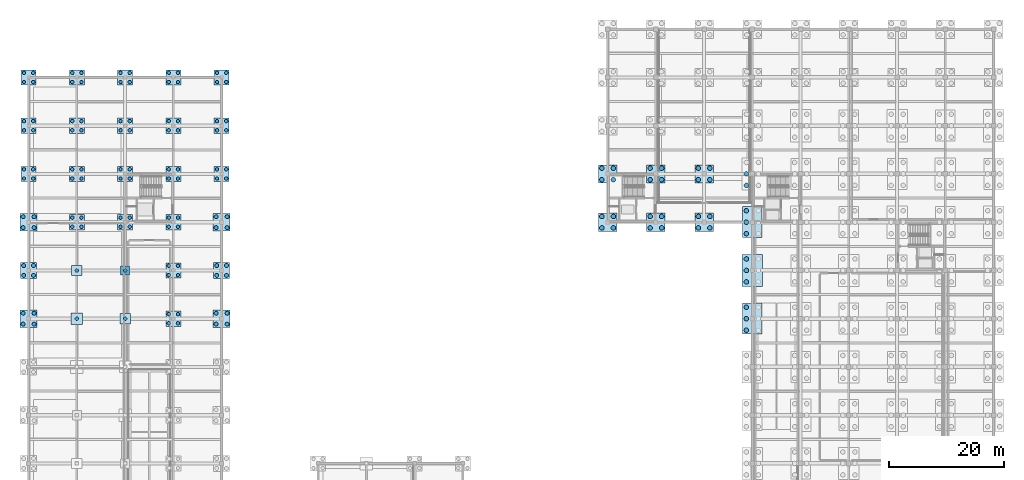
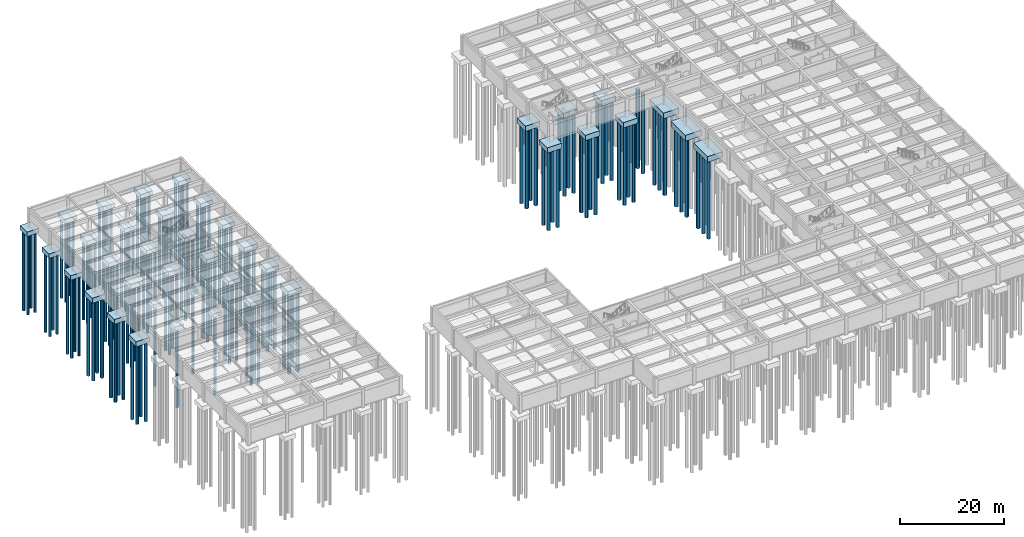
# One storey, part 3 of 33: 143 piles, 39 footings.
"""IFC4 building model written with IfcOpenShell, lengths in metres."""

from ifc_helpers import new_model, si_unit, direction, frame, origin, origin_2d, place, context, subcontext, project, spatial, rectangle, circle, extrude, material, material_profile, profile_set, type_object, element, save


model = new_model("IFC4")

# Units and contexts
model_context = context("Model", 3, precision=1e-05, world=origin(), true_north=direction((0.0, 1.0)))
body_context = subcontext(model_context, "Body", "Model", "MODEL_VIEW")
ifc_project = project(units=[si_unit("LENGTHUNIT", "METRE"), si_unit("AREAUNIT", "SQUARE_METRE"), si_unit("VOLUMEUNIT", "CUBIC_METRE"), si_unit("PLANEANGLEUNIT", "RADIAN"), si_unit("MASSUNIT", "GRAM", prefix="KILO")], contexts=[model_context])

# Site, building, storey
site_placement = place(None, origin())
site = spatial("IfcSite", under=ifc_project, at=site_placement, CompositionType="ELEMENT")
building_placement = place(site_placement, origin())
building = spatial("IfcBuilding", under=site, at=building_placement, Name="Kveldsbrygga Polytechnic", CompositionType="ELEMENT")
storey_placement = place(building_placement, frame((0.0, 0.0, -4.419921875)))
storey = spatial("IfcBuildingStorey", under=building, at=storey_placement, Name="B1", CompositionType="ELEMENT", Elevation=-4.419921875)

# Footings
ifc_material_1 = material(Name="Concrete C45/55", Category="concrete")
footing_type_1 = type_object("IfcFootingType", Name="PC-4P-CMP", PredefinedType="PILE_CAP", material=ifc_material_1)
for number, where, z_axis, x_axis, name in (
    (1, (0.0, 92.39990234375, -1.4501953125), (0.0, 0.0, 1.0), (1.0, 0.0, 0.0), "Foundation FND-00-11"),
    (2, (0.0, 100.800048828125, -1.4501953125), (0.0, 0.0, 1.0), (1.0, 0.0, 0.0), "Foundation FND-00-12"),
    (3, (0.0, 109.199951171875, -1.4501953125), (0.0, 0.0, 1.0), (1.0, 0.0, 0.0), "Foundation FND-00-13"),
    (4, (8.39990234375, 84.0, -1.4501953125), (0.0, 0.0, 1.0), (1.0, 0.0, 0.0), "Foundation FND-01-10"),
    (5, (8.39990234375, 92.39990234375, -1.4501953125), (0.0, 0.0, 1.0), (1.0, 0.0, 0.0), "Foundation FND-01-11"),
    (6, (8.39990234375, 100.800048828125, -1.4501953125), (0.0, 0.0, 1.0), (1.0, 0.0, 0.0), "Foundation FND-01-12"),
    (7, (8.39990234375, 109.199951171875, -1.4501953125), (0.0, 0.0, 1.0), (1.0, 0.0, 0.0), "Foundation FND-01-13"),
    (8, (16.800048828125, 84.0, -1.4501953125), (0.0, 0.0, 1.0), (1.0, 0.0, 0.0), "Foundation FND-02-10"),
    (9, (16.800048828125, 92.39990234375, -1.4501953125), (0.0, 0.0, 1.0), (1.0, 0.0, 0.0), "Foundation FND-02-11"),
    (10, (16.800048828125, 100.800048828125, -1.4501953125), (0.0, 0.0, 1.0), (1.0, 0.0, 0.0), "Foundation FND-02-12"),
    (11, (16.800048828125, 109.199951171875, -1.4501953125), (0.0, 0.0, 1.0), (1.0, 0.0, 0.0), "Foundation FND-02-13"),
    (12, (25.199951171875, 67.199951171875, -1.4501953125), (0.0, 0.0, 1.0), (1.0, 0.0, 0.0), "Foundation FND-03-08"),
    (13, (25.199951171875, 75.60009765625, -1.4501953125), (0.0, 0.0, 1.0), (1.0, 0.0, 0.0), "Foundation FND-03-09"),
    (14, (25.199951171875, 84.0, -1.4501953125), (0.0, 0.0, 1.0), (1.0, 0.0, 0.0), "Foundation FND-03-10"),
    (15, (25.199951171875, 92.39990234375, -1.4501953125), (0.0, 0.0, 1.0), (1.0, 0.0, 0.0), "Foundation FND-03-11"),
    (16, (25.199951171875, 100.800048828125, -1.4501953125), (0.0, 0.0, 1.0), (1.0, 0.0, 0.0), "Foundation FND-03-12"),
    (17, (25.199951171875, 109.199951171875, -1.4501953125), (0.0, 0.0, 1.0), (1.0, 0.0, 0.0), "Foundation FND-03-13"),
    (18, (33.60009765625, 92.39990234375, -1.4501953125), (0.0, 0.0, 1.0), (1.0, 0.0, 0.0), "Foundation FND-04-11"),
    (19, (33.60009765625, 100.800048828125, -1.4501953125), (0.0, 0.0, 1.0), (1.0, 0.0, 0.0), "Foundation FND-04-12"),
    (20, (33.60009765625, 109.199951171875, -1.4501953125), (0.0, 0.0, 1.0), (1.0, 0.0, 0.0), "Foundation FND-04-13"),
):
    element("IfcFooting", number, at=place(storey_placement, frame(where, z_axis=z_axis, x_axis=x_axis)), inside=storey, type_object=footing_type_1, Name=name, PredefinedType="PILE_CAP", context=body_context, shape_type="SweptSolid", body=[
        extrude(rectangle(XDim=2.64990234375, YDim=2.64990234375, at=origin_2d()), origin(), (0.0, 0.0, 1.0), 1.050048828125),
    ])
footing_type_2 = type_object("IfcFootingType", Name="PC-4P-LRG", PredefinedType="PILE_CAP", material=ifc_material_1)
for number, where, z_axis, x_axis, name in (
    (21, (100.800048828125, 84.0, -1.650146484375), (0.0, 0.0, 1.0), (1.0, 0.0, 0.0), "Foundation FND-12-10"),
    (22, (100.800048828125, 92.39990234375, -1.650146484375), (0.0, 0.0, 1.0), (1.0, 0.0, 0.0), "Foundation FND-12-11"),
    (23, (109.199951171875, 84.0, -1.650146484375), (0.0, 0.0, 1.0), (1.0, 0.0, 0.0), "Foundation FND-13-10"),
    (24, (109.199951171875, 92.39990234375, -1.650146484375), (0.0, 0.0, 1.0), (1.0, 0.0, 0.0), "Foundation FND-13-11"),
    (25, (117.60009765625, 84.0, -1.650146484375), (0.0, 0.0, 1.0), (1.0, 0.0, 0.0), "Foundation FND-14-10"),
    (26, (117.60009765625, 92.39990234375, -1.650146484375), (0.0, 0.0, 1.0), (1.0, 0.0, 0.0), "Foundation FND-14-11"),
):
    element("IfcFooting", number, at=place(storey_placement, frame(where, z_axis=z_axis, x_axis=x_axis)), inside=storey, type_object=footing_type_2, Name=name, PredefinedType="PILE_CAP", context=body_context, shape_type="SweptSolid", body=[
        extrude(rectangle(XDim=3.199951171875, YDim=3.199951171875, at=origin_2d()), origin(), (0.0, 0.0, 1.0), 1.25),
    ])
footing_type_3 = type_object("IfcFootingType", Name="PC-4P-MED", PredefinedType="PILE_CAP", material=ifc_material_1)
for number, where, z_axis, x_axis, name in (
    (27, (0.0, 75.60009765625, -1.500244140625), (0.0, 0.0, 1.0), (1.0, 0.0, 0.0), "Foundation FND-00-09"),
    (28, (33.60009765625, 75.60009765625, -1.500244140625), (0.0, 0.0, 1.0), (1.0, 0.0, 0.0), "Foundation FND-04-09"),
):
    element("IfcFooting", number, at=place(storey_placement, frame(where, z_axis=z_axis, x_axis=x_axis)), inside=storey, type_object=footing_type_3, Name=name, PredefinedType="PILE_CAP", context=body_context, shape_type="SweptSolid", body=[
        extrude(rectangle(XDim=2.800048828125, YDim=2.800048828125, at=origin_2d()), origin(), (0.0, 0.0, 1.0), 1.10009765625),
    ])
footing_type_4 = type_object("IfcFootingType", Name="PC-4P-STD", PredefinedType="PILE_CAP", material=ifc_material_1)
for number, where, z_axis, x_axis, name in (
    (29, (0.0, 67.199951171875, -1.60009765625), (0.0, 0.0, 1.0), (1.0, 0.0, 0.0), "Foundation FND-00-08"),
    (30, (0.0, 84.0, -1.60009765625), (0.0, 0.0, 1.0), (1.0, 0.0, 0.0), "Foundation FND-00-10"),
    (31, (33.60009765625, 67.199951171875, -1.60009765625), (0.0, 0.0, 1.0), (1.0, 0.0, 0.0), "Foundation FND-04-08"),
    (32, (33.60009765625, 84.0, -1.60009765625), (0.0, 0.0, 1.0), (1.0, 0.0, 0.0), "Foundation FND-04-10"),
):
    element("IfcFooting", number, at=place(storey_placement, frame(where, z_axis=z_axis, x_axis=x_axis)), inside=storey, type_object=footing_type_4, Name=name, PredefinedType="PILE_CAP", context=body_context, shape_type="SweptSolid", body=[
        extrude(rectangle(XDim=3.0, YDim=3.0, at=origin_2d()), origin(), (0.0, 0.0, 1.0), 1.199951171875),
    ])
footing_type_5 = type_object("IfcFootingType", Name="PC-6P-CORE", PredefinedType="PILE_CAP", material=ifc_material_1)
footing_1_placement = place(storey_placement, frame((126.0, 75.60009765625, -1.750244140625), z_axis=(0.0, 0.0, 1.0), x_axis=(1.0, 0.0, 0.0)))
element("IfcFooting", 33, at=footing_1_placement, inside=storey, type_object=footing_type_5, Name="Foundation FND-15-09", PredefinedType="PILE_CAP", context=body_context, shape_type="SweptSolid", body=[
    extrude(rectangle(XDim=3.60009765625, YDim=5.60009765625, at=origin_2d()), origin(), (0.0, 0.0, 1.0), 1.35009765625),
])
footing_type_6 = type_object("IfcFootingType", Name="PC-6P-HEAVY", PredefinedType="PILE_CAP", material=ifc_material_1)
for number, where, z_axis, x_axis, name in (
    (34, (126.0, 67.199951171875, -1.7001953125), (0.0, 0.0, 1.0), (1.0, 0.0, 0.0), "Foundation FND-15-08"),
    (35, (126.0, 84.0, -1.7001953125), (0.0, 0.0, 1.0), (1.0, 0.0, 0.0), "Foundation FND-15-10"),
):
    element("IfcFooting", number, at=place(storey_placement, frame(where, z_axis=z_axis, x_axis=x_axis)), inside=storey, type_object=footing_type_6, Name=name, PredefinedType="PILE_CAP", context=body_context, shape_type="SweptSolid", body=[
        extrude(rectangle(XDim=3.39990234375, YDim=5.39990234375, at=origin_2d()), origin(), (0.0, 0.0, 1.0), 1.300048828125),
    ])
ifc_material_2 = material(Name="Concrete C35/45", Category="concrete")
footing_type_7 = type_object("IfcFootingType", Name="PF-ARCADE-B", PredefinedType="PAD_FOOTING", material=ifc_material_2)
for number, where, z_axis, x_axis, name in (
    (36, (8.39990234375, 75.60009765625, -1.250244140625), (0.0, 0.0, 1.0), (1.0, 0.0, 0.0), "Foundation FND-01-09"),
    (37, (16.800048828125, 67.199951171875, -1.250244140625), (0.0, 0.0, 1.0), (1.0, 0.0, 0.0), "Foundation FND-02-08"),
):
    element("IfcFooting", number, at=place(storey_placement, frame(where, z_axis=z_axis, x_axis=x_axis)), inside=storey, type_object=footing_type_7, Name=name, PredefinedType="PAD_FOOTING", context=body_context, shape_type="SweptSolid", body=[
        extrude(rectangle(XDim=1.800048828125, YDim=1.800048828125, at=origin_2d()), origin(), (0.0, 0.0, 1.0), 0.85009765625),
    ])
footing_type_8 = type_object("IfcFootingType", Name="PF-ARCADE-C", PredefinedType="PAD_FOOTING", material=ifc_material_2)
footing_2_placement = place(storey_placement, frame((8.39990234375, 67.199951171875, -1.300048828125), z_axis=(0.0, 0.0, 1.0), x_axis=(1.0, 0.0, 0.0)))
element("IfcFooting", 38, at=footing_2_placement, inside=storey, type_object=footing_type_8, Name="Foundation FND-01-08", PredefinedType="PAD_FOOTING", context=body_context, shape_type="SweptSolid", body=[
    extrude(rectangle(XDim=2.0, YDim=2.0, at=origin_2d()), origin(), (0.0, 0.0, 1.0), 0.89990234375),
])
footing_type_9 = type_object("IfcFootingType", Name="PF-ARCADE-D", PredefinedType="PAD_FOOTING", material=ifc_material_2)
footing_3_placement = place(storey_placement, frame((16.800048828125, 75.60009765625, -1.22021484375), z_axis=(0.0, 0.0, 1.0), x_axis=(1.0, 0.0, 0.0)))
element("IfcFooting", 39, at=footing_3_placement, inside=storey, type_object=footing_type_9, Name="Foundation FND-02-09", PredefinedType="PAD_FOOTING", context=body_context, shape_type="SweptSolid", body=[
    extrude(rectangle(XDim=1.60009765625, YDim=1.60009765625, at=origin_2d()), origin(), (0.0, 0.0, 1.0), 0.820068359375),
])

# Piles
ifc_material_profile_1 = material_profile(ifc_material_1, circle(Radius=0.300048828125, at=origin_2d()), Name="PILE D600")
ifc_profile_set_1 = profile_set([ifc_material_profile_1], Name="Concrete C45/55")
pile_type_1 = type_object("IfcPileType", Name="PILE-D600", PredefinedType="BORED", material=ifc_profile_set_1)
for number, where, z_axis, x_axis, name in (
    (40, (-0.800048828125, 91.60009765625, -1.300048828125), (0.0, 0.0, -1.0), (1.0, 0.0, 0.0), "Bored Pile PIL-00-11-1"),
    (41, (0.800048828125, 91.60009765625, -1.300048828125), (0.0, 0.0, -1.0), (1.0, 0.0, 0.0), "Bored Pile PIL-00-11-2"),
    (42, (-0.800048828125, 93.199951171875, -1.300048828125), (0.0, 0.0, -1.0), (1.0, 0.0, 0.0), "Bored Pile PIL-00-11-3"),
    (43, (0.800048828125, 93.199951171875, -1.300048828125), (0.0, 0.0, -1.0), (1.0, 0.0, 0.0), "Bored Pile PIL-00-11-4"),
    (44, (-0.800048828125, 100.0, -1.300048828125), (0.0, 0.0, -1.0), (1.0, 0.0, 0.0), "Bored Pile PIL-00-12-1"),
    (45, (0.800048828125, 100.0, -1.300048828125), (0.0, 0.0, -1.0), (1.0, 0.0, 0.0), "Bored Pile PIL-00-12-2"),
    (46, (-0.800048828125, 101.60009765625, -1.300048828125), (0.0, 0.0, -1.0), (1.0, 0.0, 0.0), "Bored Pile PIL-00-12-3"),
    (47, (0.800048828125, 101.60009765625, -1.300048828125), (0.0, 0.0, -1.0), (1.0, 0.0, 0.0), "Bored Pile PIL-00-12-4"),
    (48, (-0.800048828125, 108.39990234375, -1.300048828125), (0.0, 0.0, -1.0), (1.0, 0.0, 0.0), "Bored Pile PIL-00-13-1"),
    (49, (0.800048828125, 108.39990234375, -1.300048828125), (0.0, 0.0, -1.0), (1.0, 0.0, 0.0), "Bored Pile PIL-00-13-2"),
    (50, (-0.800048828125, 110.0, -1.300048828125), (0.0, 0.0, -1.0), (1.0, 0.0, 0.0), "Bored Pile PIL-00-13-3"),
    (51, (0.800048828125, 110.0, -1.300048828125), (0.0, 0.0, -1.0), (1.0, 0.0, 0.0), "Bored Pile PIL-00-13-4"),
):
    element("IfcPile", number, at=place(storey_placement, frame(where, z_axis=z_axis, x_axis=x_axis)), inside=storey, type_object=pile_type_1, Name=name, PredefinedType="BORED", context=body_context, shape_type="SweptSolid", body=[
        extrude(circle(Radius=0.300048828125, at=origin_2d()), origin(), (0.0, 0.0, 1.0), 18.780029296875),
    ])
pile_1_placement = place(storey_placement, frame((8.39990234375, 67.199951171875, -1.150146484375), z_axis=(0.0, 0.0, -1.0), x_axis=(1.0, 0.0, 0.0)))
element("IfcPile", 52, at=pile_1_placement, inside=storey, type_object=pile_type_1, Name="Bored Pile PIL-01-08-1", PredefinedType="BORED", context=body_context, shape_type="SweptSolid", body=[
    extrude(circle(Radius=0.300048828125, at=origin_2d()), origin(), (0.0, 0.0, 1.0), 18.929931640625),
])
pile_2_placement = place(storey_placement, frame((8.39990234375, 75.60009765625, -1.10009765625), z_axis=(0.0, 0.0, -1.0), x_axis=(1.0, 0.0, 0.0)))
element("IfcPile", 53, at=pile_2_placement, inside=storey, type_object=pile_type_1, Name="Bored Pile PIL-01-09-1", PredefinedType="BORED", context=body_context, shape_type="SweptSolid", body=[
    extrude(circle(Radius=0.300048828125, at=origin_2d()), origin(), (0.0, 0.0, 1.0), 18.97998046875),
])
for number, where, z_axis, x_axis, name in (
    (54, (7.60009765625, 83.199951171875, -1.300048828125), (0.0, 0.0, -1.0), (1.0, 0.0, 0.0), "Bored Pile PIL-01-10-1"),
    (55, (9.199951171875, 83.199951171875, -1.300048828125), (0.0, 0.0, -1.0), (1.0, 0.0, 0.0), "Bored Pile PIL-01-10-2"),
    (56, (7.60009765625, 84.800048828125, -1.300048828125), (0.0, 0.0, -1.0), (1.0, 0.0, 0.0), "Bored Pile PIL-01-10-3"),
    (57, (9.199951171875, 84.800048828125, -1.300048828125), (0.0, 0.0, -1.0), (1.0, 0.0, 0.0), "Bored Pile PIL-01-10-4"),
    (58, (7.60009765625, 91.60009765625, -1.300048828125), (0.0, 0.0, -1.0), (1.0, 0.0, 0.0), "Bored Pile PIL-01-11-1"),
    (59, (9.199951171875, 91.60009765625, -1.300048828125), (0.0, 0.0, -1.0), (1.0, 0.0, 0.0), "Bored Pile PIL-01-11-2"),
    (60, (7.60009765625, 93.199951171875, -1.300048828125), (0.0, 0.0, -1.0), (1.0, 0.0, 0.0), "Bored Pile PIL-01-11-3"),
    (61, (9.199951171875, 93.199951171875, -1.300048828125), (0.0, 0.0, -1.0), (1.0, 0.0, 0.0), "Bored Pile PIL-01-11-4"),
    (62, (7.60009765625, 100.0, -1.300048828125), (0.0, 0.0, -1.0), (1.0, 0.0, 0.0), "Bored Pile PIL-01-12-1"),
    (63, (9.199951171875, 100.0, -1.300048828125), (0.0, 0.0, -1.0), (1.0, 0.0, 0.0), "Bored Pile PIL-01-12-2"),
    (64, (7.60009765625, 101.60009765625, -1.300048828125), (0.0, 0.0, -1.0), (1.0, 0.0, 0.0), "Bored Pile PIL-01-12-3"),
    (65, (9.199951171875, 101.60009765625, -1.300048828125), (0.0, 0.0, -1.0), (1.0, 0.0, 0.0), "Bored Pile PIL-01-12-4"),
    (66, (7.60009765625, 108.39990234375, -1.300048828125), (0.0, 0.0, -1.0), (1.0, 0.0, 0.0), "Bored Pile PIL-01-13-1"),
    (67, (9.199951171875, 108.39990234375, -1.300048828125), (0.0, 0.0, -1.0), (1.0, 0.0, 0.0), "Bored Pile PIL-01-13-2"),
    (68, (7.60009765625, 110.0, -1.300048828125), (0.0, 0.0, -1.0), (1.0, 0.0, 0.0), "Bored Pile PIL-01-13-3"),
    (69, (9.199951171875, 110.0, -1.300048828125), (0.0, 0.0, -1.0), (1.0, 0.0, 0.0), "Bored Pile PIL-01-13-4"),
):
    element("IfcPile", number, at=place(storey_placement, frame(where, z_axis=z_axis, x_axis=x_axis)), inside=storey, type_object=pile_type_1, Name=name, PredefinedType="BORED", context=body_context, shape_type="SweptSolid", body=[
        extrude(circle(Radius=0.300048828125, at=origin_2d()), origin(), (0.0, 0.0, 1.0), 18.780029296875),
    ])
pile_3_placement = place(storey_placement, frame((16.800048828125, 67.199951171875, -1.10009765625), z_axis=(0.0, 0.0, -1.0), x_axis=(1.0, 0.0, 0.0)))
element("IfcPile", 70, at=pile_3_placement, inside=storey, type_object=pile_type_1, Name="Bored Pile PIL-02-08-1", PredefinedType="BORED", context=body_context, shape_type="SweptSolid", body=[
    extrude(circle(Radius=0.300048828125, at=origin_2d()), origin(), (0.0, 0.0, 1.0), 18.97998046875),
])
pile_4_placement = place(storey_placement, frame((16.800048828125, 75.60009765625, -1.070068359375), z_axis=(0.0, 0.0, -1.0), x_axis=(1.0, 0.0, 0.0)))
element("IfcPile", 71, at=pile_4_placement, inside=storey, type_object=pile_type_1, Name="Bored Pile PIL-02-09-1", PredefinedType="BORED", context=body_context, shape_type="SweptSolid", body=[
    extrude(circle(Radius=0.300048828125, at=origin_2d()), origin(), (0.0, 0.0, 1.0), 19.010009765625),
])
for number, where, z_axis, x_axis, name in (
    (72, (16.0, 83.199951171875, -1.300048828125), (0.0, 0.0, -1.0), (1.0, 0.0, 0.0), "Bored Pile PIL-02-10-1"),
    (73, (17.60009765625, 83.199951171875, -1.300048828125), (0.0, 0.0, -1.0), (1.0, 0.0, 0.0), "Bored Pile PIL-02-10-2"),
    (74, (16.0, 84.800048828125, -1.300048828125), (0.0, 0.0, -1.0), (1.0, 0.0, 0.0), "Bored Pile PIL-02-10-3"),
    (75, (17.60009765625, 84.800048828125, -1.300048828125), (0.0, 0.0, -1.0), (1.0, 0.0, 0.0), "Bored Pile PIL-02-10-4"),
    (76, (16.0, 91.60009765625, -1.300048828125), (0.0, 0.0, -1.0), (1.0, 0.0, 0.0), "Bored Pile PIL-02-11-1"),
    (77, (17.60009765625, 91.60009765625, -1.300048828125), (0.0, 0.0, -1.0), (1.0, 0.0, 0.0), "Bored Pile PIL-02-11-2"),
    (78, (16.0, 93.199951171875, -1.300048828125), (0.0, 0.0, -1.0), (1.0, 0.0, 0.0), "Bored Pile PIL-02-11-3"),
    (79, (17.60009765625, 93.199951171875, -1.300048828125), (0.0, 0.0, -1.0), (1.0, 0.0, 0.0), "Bored Pile PIL-02-11-4"),
    (80, (16.0, 100.0, -1.300048828125), (0.0, 0.0, -1.0), (1.0, 0.0, 0.0), "Bored Pile PIL-02-12-1"),
    (81, (17.60009765625, 100.0, -1.300048828125), (0.0, 0.0, -1.0), (1.0, 0.0, 0.0), "Bored Pile PIL-02-12-2"),
    (82, (16.0, 101.60009765625, -1.300048828125), (0.0, 0.0, -1.0), (1.0, 0.0, 0.0), "Bored Pile PIL-02-12-3"),
    (83, (17.60009765625, 101.60009765625, -1.300048828125), (0.0, 0.0, -1.0), (1.0, 0.0, 0.0), "Bored Pile PIL-02-12-4"),
    (84, (16.0, 108.39990234375, -1.300048828125), (0.0, 0.0, -1.0), (1.0, 0.0, 0.0), "Bored Pile PIL-02-13-1"),
    (85, (17.60009765625, 108.39990234375, -1.300048828125), (0.0, 0.0, -1.0), (1.0, 0.0, 0.0), "Bored Pile PIL-02-13-2"),
    (86, (16.0, 110.0, -1.300048828125), (0.0, 0.0, -1.0), (1.0, 0.0, 0.0), "Bored Pile PIL-02-13-3"),
    (87, (17.60009765625, 110.0, -1.300048828125), (0.0, 0.0, -1.0), (1.0, 0.0, 0.0), "Bored Pile PIL-02-13-4"),
    (88, (24.39990234375, 66.39990234375, -1.300048828125), (0.0, 0.0, -1.0), (1.0, 0.0, 0.0), "Bored Pile PIL-03-08-1"),
    (89, (26.0, 66.39990234375, -1.300048828125), (0.0, 0.0, -1.0), (1.0, 0.0, 0.0), "Bored Pile PIL-03-08-2"),
    (90, (24.39990234375, 68.0, -1.300048828125), (0.0, 0.0, -1.0), (1.0, 0.0, 0.0), "Bored Pile PIL-03-08-3"),
    (91, (26.0, 68.0, -1.300048828125), (0.0, 0.0, -1.0), (1.0, 0.0, 0.0), "Bored Pile PIL-03-08-4"),
    (92, (24.39990234375, 74.800048828125, -1.300048828125), (0.0, 0.0, -1.0), (1.0, 0.0, 0.0), "Bored Pile PIL-03-09-1"),
    (93, (26.0, 74.800048828125, -1.300048828125), (0.0, 0.0, -1.0), (1.0, 0.0, 0.0), "Bored Pile PIL-03-09-2"),
    (94, (24.39990234375, 76.39990234375, -1.300048828125), (0.0, 0.0, -1.0), (1.0, 0.0, 0.0), "Bored Pile PIL-03-09-3"),
    (95, (26.0, 76.39990234375, -1.300048828125), (0.0, 0.0, -1.0), (1.0, 0.0, 0.0), "Bored Pile PIL-03-09-4"),
    (96, (24.39990234375, 83.199951171875, -1.300048828125), (0.0, 0.0, -1.0), (1.0, 0.0, 0.0), "Bored Pile PIL-03-10-1"),
    (97, (26.0, 83.199951171875, -1.300048828125), (0.0, 0.0, -1.0), (1.0, 0.0, 0.0), "Bored Pile PIL-03-10-2"),
    (98, (24.39990234375, 84.800048828125, -1.300048828125), (0.0, 0.0, -1.0), (1.0, 0.0, 0.0), "Bored Pile PIL-03-10-3"),
    (99, (26.0, 84.800048828125, -1.300048828125), (0.0, 0.0, -1.0), (1.0, 0.0, 0.0), "Bored Pile PIL-03-10-4"),
    (100, (24.39990234375, 91.60009765625, -1.300048828125), (0.0, 0.0, -1.0), (1.0, 0.0, 0.0), "Bored Pile PIL-03-11-1"),
    (101, (26.0, 91.60009765625, -1.300048828125), (0.0, 0.0, -1.0), (1.0, 0.0, 0.0), "Bored Pile PIL-03-11-2"),
    (102, (24.39990234375, 93.199951171875, -1.300048828125), (0.0, 0.0, -1.0), (1.0, 0.0, 0.0), "Bored Pile PIL-03-11-3"),
    (103, (26.0, 93.199951171875, -1.300048828125), (0.0, 0.0, -1.0), (1.0, 0.0, 0.0), "Bored Pile PIL-03-11-4"),
    (104, (24.39990234375, 100.0, -1.300048828125), (0.0, 0.0, -1.0), (1.0, 0.0, 0.0), "Bored Pile PIL-03-12-1"),
    (105, (26.0, 100.0, -1.300048828125), (0.0, 0.0, -1.0), (1.0, 0.0, 0.0), "Bored Pile PIL-03-12-2"),
    (106, (24.39990234375, 101.60009765625, -1.300048828125), (0.0, 0.0, -1.0), (1.0, 0.0, 0.0), "Bored Pile PIL-03-12-3"),
    (107, (26.0, 101.60009765625, -1.300048828125), (0.0, 0.0, -1.0), (1.0, 0.0, 0.0), "Bored Pile PIL-03-12-4"),
    (108, (24.39990234375, 108.39990234375, -1.300048828125), (0.0, 0.0, -1.0), (1.0, 0.0, 0.0), "Bored Pile PIL-03-13-1"),
    (109, (26.0, 108.39990234375, -1.300048828125), (0.0, 0.0, -1.0), (1.0, 0.0, 0.0), "Bored Pile PIL-03-13-2"),
    (110, (24.39990234375, 110.0, -1.300048828125), (0.0, 0.0, -1.0), (1.0, 0.0, 0.0), "Bored Pile PIL-03-13-3"),
    (111, (26.0, 110.0, -1.300048828125), (0.0, 0.0, -1.0), (1.0, 0.0, 0.0), "Bored Pile PIL-03-13-4"),
    (112, (32.800048828125, 91.60009765625, -1.300048828125), (0.0, 0.0, -1.0), (1.0, 0.0, 0.0), "Bored Pile PIL-04-11-1"),
    (113, (34.39990234375, 91.60009765625, -1.300048828125), (0.0, 0.0, -1.0), (1.0, 0.0, 0.0), "Bored Pile PIL-04-11-2"),
    (114, (32.800048828125, 93.199951171875, -1.300048828125), (0.0, 0.0, -1.0), (1.0, 0.0, 0.0), "Bored Pile PIL-04-11-3"),
    (115, (34.39990234375, 93.199951171875, -1.300048828125), (0.0, 0.0, -1.0), (1.0, 0.0, 0.0), "Bored Pile PIL-04-11-4"),
    (116, (32.800048828125, 100.0, -1.300048828125), (0.0, 0.0, -1.0), (1.0, 0.0, 0.0), "Bored Pile PIL-04-12-1"),
    (117, (34.39990234375, 100.0, -1.300048828125), (0.0, 0.0, -1.0), (1.0, 0.0, 0.0), "Bored Pile PIL-04-12-2"),
    (118, (32.800048828125, 101.60009765625, -1.300048828125), (0.0, 0.0, -1.0), (1.0, 0.0, 0.0), "Bored Pile PIL-04-12-3"),
    (119, (34.39990234375, 101.60009765625, -1.300048828125), (0.0, 0.0, -1.0), (1.0, 0.0, 0.0), "Bored Pile PIL-04-12-4"),
    (120, (32.800048828125, 108.39990234375, -1.300048828125), (0.0, 0.0, -1.0), (1.0, 0.0, 0.0), "Bored Pile PIL-04-13-1"),
    (121, (34.39990234375, 108.39990234375, -1.300048828125), (0.0, 0.0, -1.0), (1.0, 0.0, 0.0), "Bored Pile PIL-04-13-2"),
    (122, (32.800048828125, 110.0, -1.300048828125), (0.0, 0.0, -1.0), (1.0, 0.0, 0.0), "Bored Pile PIL-04-13-3"),
    (123, (34.39990234375, 110.0, -1.300048828125), (0.0, 0.0, -1.0), (1.0, 0.0, 0.0), "Bored Pile PIL-04-13-4"),
):
    element("IfcPile", number, at=place(storey_placement, frame(where, z_axis=z_axis, x_axis=x_axis)), inside=storey, type_object=pile_type_1, Name=name, PredefinedType="BORED", context=body_context, shape_type="SweptSolid", body=[
        extrude(circle(Radius=0.300048828125, at=origin_2d()), origin(), (0.0, 0.0, 1.0), 18.780029296875),
    ])
ifc_material_profile_2 = material_profile(ifc_material_1, circle(Radius=0.35009765625, at=origin_2d()), Name="PILE D700")
ifc_profile_set_2 = profile_set([ifc_material_profile_2], Name="Concrete C45/55")
pile_type_2 = type_object("IfcPileType", Name="PILE-D700", PredefinedType="BORED", material=ifc_profile_set_2)
for number, where, z_axis, x_axis, name in (
    (124, (-0.949951171875, 66.25, -1.4501953125), (0.0, 0.0, -1.0), (1.0, 0.0, 0.0), "Bored Pile PIL-00-08-1"),
    (125, (0.949951171875, 66.25, -1.4501953125), (0.0, 0.0, -1.0), (1.0, 0.0, 0.0), "Bored Pile PIL-00-08-2"),
    (126, (-0.949951171875, 68.14990234375, -1.4501953125), (0.0, 0.0, -1.0), (1.0, 0.0, 0.0), "Bored Pile PIL-00-08-3"),
    (127, (0.949951171875, 68.14990234375, -1.4501953125), (0.0, 0.0, -1.0), (1.0, 0.0, 0.0), "Bored Pile PIL-00-08-4"),
):
    element("IfcPile", number, at=place(storey_placement, frame(where, z_axis=z_axis, x_axis=x_axis)), inside=storey, type_object=pile_type_2, Name=name, PredefinedType="BORED", context=body_context, shape_type="SweptSolid", body=[
        extrude(circle(Radius=0.35009765625, at=origin_2d()), origin(), (0.0, 0.0, 1.0), 18.6298828125),
    ])
for number, where, z_axis, x_axis, name in (
    (128, (-0.85009765625, 74.75, -1.35009765625), (0.0, 0.0, -1.0), (1.0, 0.0, 0.0), "Bored Pile PIL-00-09-1"),
    (129, (0.85009765625, 74.75, -1.35009765625), (0.0, 0.0, -1.0), (1.0, 0.0, 0.0), "Bored Pile PIL-00-09-2"),
    (130, (-0.85009765625, 76.449951171875, -1.35009765625), (0.0, 0.0, -1.0), (1.0, 0.0, 0.0), "Bored Pile PIL-00-09-3"),
    (131, (0.85009765625, 76.449951171875, -1.35009765625), (0.0, 0.0, -1.0), (1.0, 0.0, 0.0), "Bored Pile PIL-00-09-4"),
):
    element("IfcPile", number, at=place(storey_placement, frame(where, z_axis=z_axis, x_axis=x_axis)), inside=storey, type_object=pile_type_2, Name=name, PredefinedType="BORED", context=body_context, shape_type="SweptSolid", body=[
        extrude(circle(Radius=0.35009765625, at=origin_2d()), origin(), (0.0, 0.0, 1.0), 18.72998046875),
    ])
for number, where, z_axis, x_axis, name in (
    (132, (-0.949951171875, 83.050048828125, -1.4501953125), (0.0, 0.0, -1.0), (1.0, 0.0, 0.0), "Bored Pile PIL-00-10-1"),
    (133, (0.949951171875, 83.050048828125, -1.4501953125), (0.0, 0.0, -1.0), (1.0, 0.0, 0.0), "Bored Pile PIL-00-10-2"),
    (134, (-0.949951171875, 84.949951171875, -1.4501953125), (0.0, 0.0, -1.0), (1.0, 0.0, 0.0), "Bored Pile PIL-00-10-3"),
    (135, (0.949951171875, 84.949951171875, -1.4501953125), (0.0, 0.0, -1.0), (1.0, 0.0, 0.0), "Bored Pile PIL-00-10-4"),
    (136, (32.64990234375, 66.25, -1.4501953125), (0.0, 0.0, -1.0), (1.0, 0.0, 0.0), "Bored Pile PIL-04-08-1"),
    (137, (34.550048828125, 66.25, -1.4501953125), (0.0, 0.0, -1.0), (1.0, 0.0, 0.0), "Bored Pile PIL-04-08-2"),
    (138, (32.64990234375, 68.14990234375, -1.4501953125), (0.0, 0.0, -1.0), (1.0, 0.0, 0.0), "Bored Pile PIL-04-08-3"),
    (139, (34.550048828125, 68.14990234375, -1.4501953125), (0.0, 0.0, -1.0), (1.0, 0.0, 0.0), "Bored Pile PIL-04-08-4"),
):
    element("IfcPile", number, at=place(storey_placement, frame(where, z_axis=z_axis, x_axis=x_axis)), inside=storey, type_object=pile_type_2, Name=name, PredefinedType="BORED", context=body_context, shape_type="SweptSolid", body=[
        extrude(circle(Radius=0.35009765625, at=origin_2d()), origin(), (0.0, 0.0, 1.0), 18.6298828125),
    ])
for number, where, z_axis, x_axis, name in (
    (140, (32.75, 74.75, -1.35009765625), (0.0, 0.0, -1.0), (1.0, 0.0, 0.0), "Bored Pile PIL-04-09-1"),
    (141, (34.449951171875, 74.75, -1.35009765625), (0.0, 0.0, -1.0), (1.0, 0.0, 0.0), "Bored Pile PIL-04-09-2"),
    (142, (32.75, 76.449951171875, -1.35009765625), (0.0, 0.0, -1.0), (1.0, 0.0, 0.0), "Bored Pile PIL-04-09-3"),
    (143, (34.449951171875, 76.449951171875, -1.35009765625), (0.0, 0.0, -1.0), (1.0, 0.0, 0.0), "Bored Pile PIL-04-09-4"),
):
    element("IfcPile", number, at=place(storey_placement, frame(where, z_axis=z_axis, x_axis=x_axis)), inside=storey, type_object=pile_type_2, Name=name, PredefinedType="BORED", context=body_context, shape_type="SweptSolid", body=[
        extrude(circle(Radius=0.35009765625, at=origin_2d()), origin(), (0.0, 0.0, 1.0), 18.72998046875),
    ])
for number, where, z_axis, x_axis, name in (
    (144, (32.64990234375, 83.050048828125, -1.4501953125), (0.0, 0.0, -1.0), (1.0, 0.0, 0.0), "Bored Pile PIL-04-10-1"),
    (145, (34.550048828125, 83.050048828125, -1.4501953125), (0.0, 0.0, -1.0), (1.0, 0.0, 0.0), "Bored Pile PIL-04-10-2"),
    (146, (32.64990234375, 84.949951171875, -1.4501953125), (0.0, 0.0, -1.0), (1.0, 0.0, 0.0), "Bored Pile PIL-04-10-3"),
    (147, (34.550048828125, 84.949951171875, -1.4501953125), (0.0, 0.0, -1.0), (1.0, 0.0, 0.0), "Bored Pile PIL-04-10-4"),
):
    element("IfcPile", number, at=place(storey_placement, frame(where, z_axis=z_axis, x_axis=x_axis)), inside=storey, type_object=pile_type_2, Name=name, PredefinedType="BORED", context=body_context, shape_type="SweptSolid", body=[
        extrude(circle(Radius=0.35009765625, at=origin_2d()), origin(), (0.0, 0.0, 1.0), 18.6298828125),
    ])
ifc_material_profile_3 = material_profile(ifc_material_1, circle(Radius=0.39990234375, at=origin_2d()), Name="PILE D800")
ifc_profile_set_3 = profile_set([ifc_material_profile_3], Name="Concrete C45/55")
pile_type_3 = type_object("IfcPileType", Name="PILE-D800", PredefinedType="BORED", material=ifc_profile_set_3)
for number, where, z_axis, x_axis, name in (
    (148, (99.800048828125, 83.0, -1.5), (0.0, 0.0, -1.0), (1.0, 0.0, 0.0), "Bored Pile PIL-12-10-1"),
    (149, (101.800048828125, 83.0, -1.5), (0.0, 0.0, -1.0), (1.0, 0.0, 0.0), "Bored Pile PIL-12-10-2"),
    (150, (99.800048828125, 85.0, -1.5), (0.0, 0.0, -1.0), (1.0, 0.0, 0.0), "Bored Pile PIL-12-10-3"),
    (151, (101.800048828125, 85.0, -1.5), (0.0, 0.0, -1.0), (1.0, 0.0, 0.0), "Bored Pile PIL-12-10-4"),
    (152, (99.800048828125, 91.39990234375, -1.5), (0.0, 0.0, -1.0), (1.0, 0.0, 0.0), "Bored Pile PIL-12-11-1"),
    (153, (101.800048828125, 91.39990234375, -1.5), (0.0, 0.0, -1.0), (1.0, 0.0, 0.0), "Bored Pile PIL-12-11-2"),
    (154, (99.800048828125, 93.39990234375, -1.5), (0.0, 0.0, -1.0), (1.0, 0.0, 0.0), "Bored Pile PIL-12-11-3"),
    (155, (101.800048828125, 93.39990234375, -1.5), (0.0, 0.0, -1.0), (1.0, 0.0, 0.0), "Bored Pile PIL-12-11-4"),
    (156, (108.199951171875, 83.0, -1.5), (0.0, 0.0, -1.0), (1.0, 0.0, 0.0), "Bored Pile PIL-13-10-1"),
    (157, (110.199951171875, 83.0, -1.5), (0.0, 0.0, -1.0), (1.0, 0.0, 0.0), "Bored Pile PIL-13-10-2"),
    (158, (108.199951171875, 85.0, -1.5), (0.0, 0.0, -1.0), (1.0, 0.0, 0.0), "Bored Pile PIL-13-10-3"),
    (159, (110.199951171875, 85.0, -1.5), (0.0, 0.0, -1.0), (1.0, 0.0, 0.0), "Bored Pile PIL-13-10-4"),
    (160, (108.199951171875, 91.39990234375, -1.5), (0.0, 0.0, -1.0), (1.0, 0.0, 0.0), "Bored Pile PIL-13-11-1"),
    (161, (110.199951171875, 91.39990234375, -1.5), (0.0, 0.0, -1.0), (1.0, 0.0, 0.0), "Bored Pile PIL-13-11-2"),
    (162, (108.199951171875, 93.39990234375, -1.5), (0.0, 0.0, -1.0), (1.0, 0.0, 0.0), "Bored Pile PIL-13-11-3"),
    (163, (110.199951171875, 93.39990234375, -1.5), (0.0, 0.0, -1.0), (1.0, 0.0, 0.0), "Bored Pile PIL-13-11-4"),
    (164, (116.60009765625, 83.0, -1.5), (0.0, 0.0, -1.0), (1.0, 0.0, 0.0), "Bored Pile PIL-14-10-1"),
    (165, (118.60009765625, 83.0, -1.5), (0.0, 0.0, -1.0), (1.0, 0.0, 0.0), "Bored Pile PIL-14-10-2"),
    (166, (116.60009765625, 85.0, -1.5), (0.0, 0.0, -1.0), (1.0, 0.0, 0.0), "Bored Pile PIL-14-10-3"),
    (167, (118.60009765625, 85.0, -1.5), (0.0, 0.0, -1.0), (1.0, 0.0, 0.0), "Bored Pile PIL-14-10-4"),
    (168, (116.60009765625, 91.39990234375, -1.5), (0.0, 0.0, -1.0), (1.0, 0.0, 0.0), "Bored Pile PIL-14-11-1"),
    (169, (118.60009765625, 91.39990234375, -1.5), (0.0, 0.0, -1.0), (1.0, 0.0, 0.0), "Bored Pile PIL-14-11-2"),
    (170, (116.60009765625, 93.39990234375, -1.5), (0.0, 0.0, -1.0), (1.0, 0.0, 0.0), "Bored Pile PIL-14-11-3"),
    (171, (118.60009765625, 93.39990234375, -1.5), (0.0, 0.0, -1.0), (1.0, 0.0, 0.0), "Bored Pile PIL-14-11-4"),
):
    element("IfcPile", number, at=place(storey_placement, frame(where, z_axis=z_axis, x_axis=x_axis)), inside=storey, type_object=pile_type_3, Name=name, PredefinedType="BORED", context=body_context, shape_type="SweptSolid", body=[
        extrude(circle(Radius=0.39990234375, at=origin_2d()), origin(), (0.0, 0.0, 1.0), 18.580078125),
    ])
for number, where, z_axis, x_axis, name in (
    (172, (124.949951171875, 65.199951171875, -1.550048828125), (0.0, 0.0, -1.0), (1.0, 0.0, 0.0), "Bored Pile PIL-15-08-1"),
    (173, (124.949951171875, 67.199951171875, -1.550048828125), (0.0, 0.0, -1.0), (1.0, 0.0, 0.0), "Bored Pile PIL-15-08-3"),
    (174, (124.949951171875, 69.199951171875, -1.550048828125), (0.0, 0.0, -1.0), (1.0, 0.0, 0.0), "Bored Pile PIL-15-08-5"),
):
    element("IfcPile", number, at=place(storey_placement, frame(where, z_axis=z_axis, x_axis=x_axis)), inside=storey, type_object=pile_type_3, Name=name, PredefinedType="BORED", context=body_context, shape_type="SweptSolid", body=[
        extrude(circle(Radius=0.39990234375, at=origin_2d()), origin(), (0.0, 0.0, 1.0), 18.530029296875),
    ])
for number, where, z_axis, x_axis, name in (
    (175, (124.949951171875, 73.60009765625, -1.60009765625), (0.0, 0.0, -1.0), (1.0, 0.0, 0.0), "Bored Pile PIL-15-09-1"),
    (176, (124.949951171875, 75.60009765625, -1.60009765625), (0.0, 0.0, -1.0), (1.0, 0.0, 0.0), "Bored Pile PIL-15-09-3"),
    (177, (124.949951171875, 77.60009765625, -1.60009765625), (0.0, 0.0, -1.0), (1.0, 0.0, 0.0), "Bored Pile PIL-15-09-5"),
):
    element("IfcPile", number, at=place(storey_placement, frame(where, z_axis=z_axis, x_axis=x_axis)), inside=storey, type_object=pile_type_3, Name=name, PredefinedType="BORED", context=body_context, shape_type="SweptSolid", body=[
        extrude(circle(Radius=0.39990234375, at=origin_2d()), origin(), (0.0, 0.0, 1.0), 18.47998046875),
    ])
for number, where, z_axis, x_axis, name in (
    (178, (124.949951171875, 82.0, -1.550048828125), (0.0, 0.0, -1.0), (1.0, 0.0, 0.0), "Bored Pile PIL-15-10-1"),
    (179, (124.949951171875, 84.0, -1.550048828125), (0.0, 0.0, -1.0), (1.0, 0.0, 0.0), "Bored Pile PIL-15-10-3"),
    (180, (124.949951171875, 86.0, -1.550048828125), (0.0, 0.0, -1.0), (1.0, 0.0, 0.0), "Bored Pile PIL-15-10-5"),
):
    element("IfcPile", number, at=place(storey_placement, frame(where, z_axis=z_axis, x_axis=x_axis)), inside=storey, type_object=pile_type_3, Name=name, PredefinedType="BORED", context=body_context, shape_type="SweptSolid", body=[
        extrude(circle(Radius=0.39990234375, at=origin_2d()), origin(), (0.0, 0.0, 1.0), 18.530029296875),
    ])
for number, where, z_axis, x_axis, name in (
    (181, (124.949951171875, 90.39990234375, -1.60009765625), (0.0, 0.0, -1.0), (1.0, 0.0, 0.0), "Bored Pile PIL-15-11-1"),
    (182, (124.949951171875, 92.39990234375, -1.60009765625), (0.0, 0.0, -1.0), (1.0, 0.0, 0.0), "Bored Pile PIL-15-11-3"),
):
    element("IfcPile", number, at=place(storey_placement, frame(where, z_axis=z_axis, x_axis=x_axis)), inside=storey, type_object=pile_type_3, Name=name, PredefinedType="BORED", context=body_context, shape_type="SweptSolid", body=[
        extrude(circle(Radius=0.39990234375, at=origin_2d()), origin(), (0.0, 0.0, 1.0), 18.47998046875),
    ])

save(model, "model.ifc")
